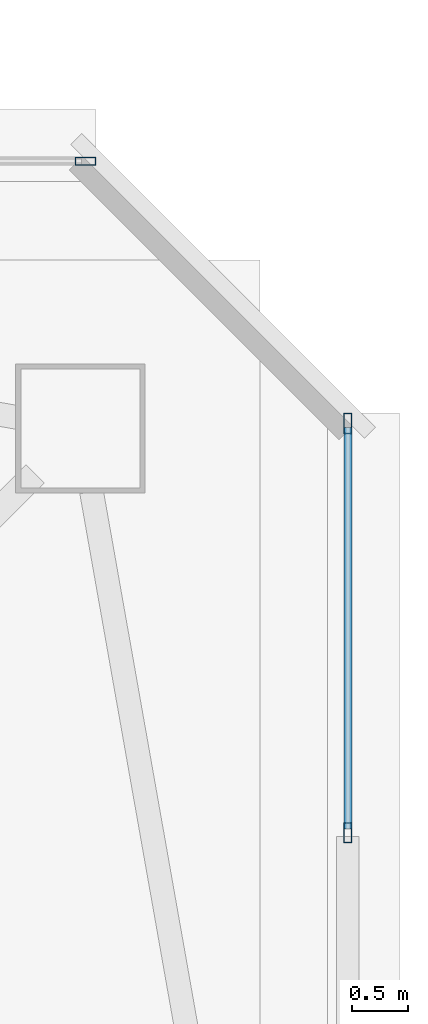
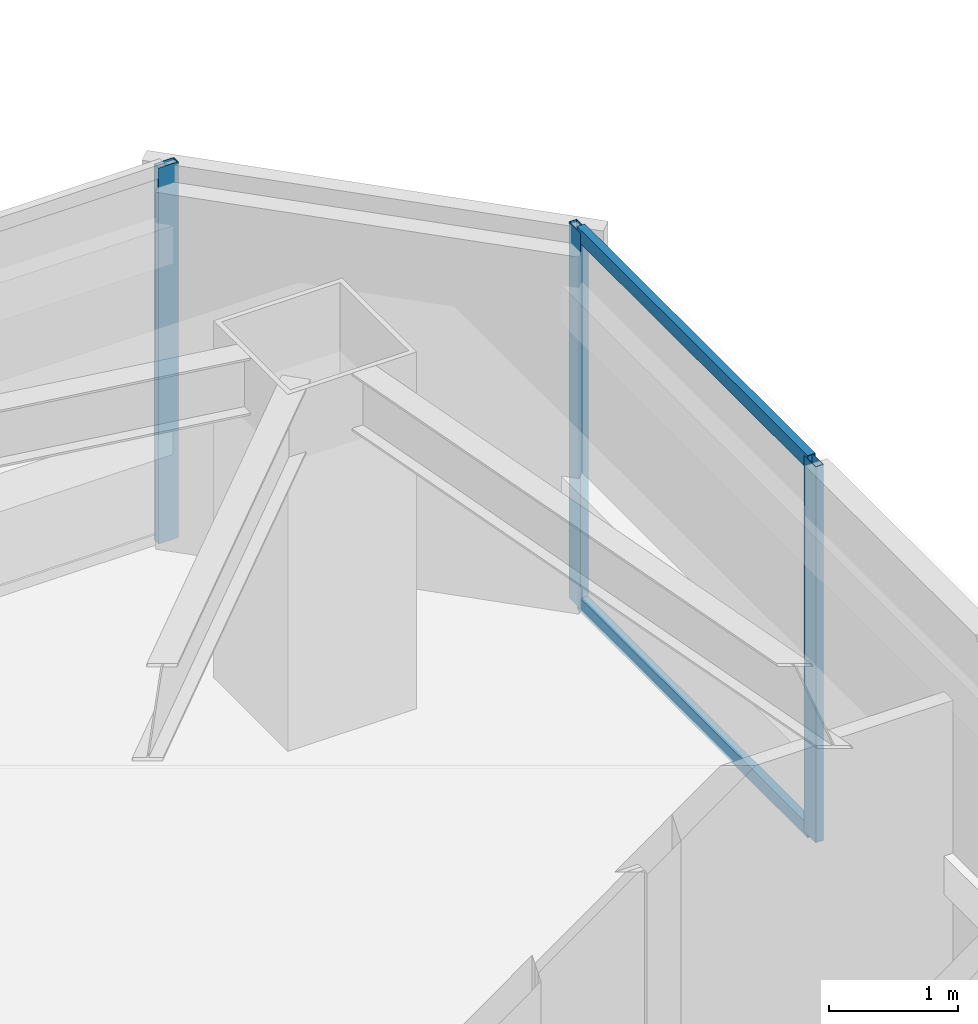
# One storey, part 14 of 41: 5 members, 2 elements without a shape of their own.
"""IFC4 building model written with IfcOpenShell, lengths in metres."""

from ifc_helpers import new_model, si_unit, direction, frame, origin, origin_2d, place, context, subcontext, project, spatial, hollow_rectangle, extrude, material, material_profile, profile_set, type_object, element, aggregate, save


model = new_model("IFC4")

# Units and contexts
model_context = context("Model", 3, precision=1e-05, world=origin(), true_north=direction((0.0, 1.0)))
body_context = subcontext(model_context, "Body", "Model", "MODEL_VIEW")
ifc_project = project(units=[si_unit("LENGTHUNIT", "METRE"), si_unit("AREAUNIT", "SQUARE_METRE"), si_unit("VOLUMEUNIT", "CUBIC_METRE"), si_unit("PLANEANGLEUNIT", "RADIAN"), si_unit("MASSUNIT", "GRAM", prefix="KILO")], contexts=[model_context])

# Site, building, storey
site_placement = place(None, origin())
site = spatial("IfcSite", under=ifc_project, at=site_placement, CompositionType="ELEMENT")
building_placement = place(site_placement, origin())
building = spatial("IfcBuilding", under=site, at=building_placement, Name="Tashvorn Skyway Center", CompositionType="ELEMENT")
storey_placement = place(building_placement, frame((0.0, 0.0, 174.75)))
storey = spatial("IfcBuildingStorey", under=building, at=storey_placement, Name="L47", CompositionType="ELEMENT", Elevation=174.75)

# Curtain wall, member
ifc_material = material(Name="Thermally broken bronze-anodized aluminium 6063-T6", Category="aluminium")
curtain_wall_type = type_object("IfcCurtainWallType", Name="CW-CW-Z4", PredefinedType="NOTDEFINED", material=ifc_material)
curtain_wall_1_placement = place(storey_placement, origin())
curtain_wall_1 = element("IfcCurtainWall", 1, at=curtain_wall_1_placement, inside=storey, type_object=curtain_wall_type, Name="Tower 1 L47 North Unitised Curtain Wall Glazing Group 3", PredefinedType="NOTDEFINED")
ifc_material_profile_1 = material_profile(ifc_material, hollow_rectangle(XDim=0.070068359375, YDim=0.179931640625, WallThickness=0.00390625, at=origin_2d()), Name="ALU-MULL-70x180")
ifc_profile_set_1 = profile_set([ifc_material_profile_1], Name="Thermally broken bronze-anodized aluminium 6063-T6")
member_type_1 = type_object("IfcMemberType", Name="CWM-CW-Z4", PredefinedType="MULLION", material=ifc_profile_set_1)
member_1_placement = place(storey_placement, frame((57.344970703125, 49.679931640625, 0.0), z_axis=(0.0, 0.0, 1.0), x_axis=(0.0, 1.0, 0.0)))
member_1 = element("IfcMember", 2, at=member_1_placement, type_object=member_type_1, Name="CW-Z4 mullion 2", PredefinedType="MULLION", context=body_context, shape_type="SweptSolid", body=[
    extrude(hollow_rectangle(XDim=0.070068359375, YDim=0.179931640625, WallThickness=0.00390625, at=origin_2d()), origin(), (0.0, 0.0, 1.0), 3.550048828125),
])
aggregate(curtain_wall_1, [member_1])

# Curtain wall, members
curtain_wall_2_placement = place(storey_placement, origin())
curtain_wall_2 = element("IfcCurtainWall", 3, at=curtain_wall_2_placement, inside=storey, type_object=curtain_wall_type, Name="Tower 1 L47 East Curtain Wall L Glazing Group 1", PredefinedType="NOTDEFINED")
member_2_placement = place(storey_placement, frame((59.679931640625, 47.344970703125, 0.0), z_axis=(0.0, 0.0, 1.0), x_axis=(1.0, 0.0, 0.0)))
member_2 = element("IfcMember", 4, at=member_2_placement, type_object=member_type_1, Name="CW-Z4 mullion 1", PredefinedType="MULLION", context=body_context, shape_type="SweptSolid", body=[
    extrude(hollow_rectangle(XDim=0.070068359375, YDim=0.179931640625, WallThickness=0.00390625, at=origin_2d()), origin(), (0.0, 0.0, 1.0), 3.550048828125),
])
member_3_placement = place(storey_placement, frame((59.679931640625, 43.705078125, 0.0), z_axis=(0.0, 0.0, 1.0), x_axis=(1.0, 0.0, 0.0)))
member_3 = element("IfcMember", 5, at=member_3_placement, type_object=member_type_1, Name="CW-Z4 mullion 2", PredefinedType="MULLION", context=body_context, shape_type="SweptSolid", body=[
    extrude(hollow_rectangle(XDim=0.070068359375, YDim=0.179931640625, WallThickness=0.00390625, at=origin_2d()), origin(), (0.0, 0.0, 1.0), 3.550048828125),
])
ifc_material_profile_2 = material_profile(ifc_material, hollow_rectangle(XDim=0.070068359375, YDim=0.1298828125, WallThickness=0.00390625, at=origin_2d()), Name="ALU-TRAN-70x130")
ifc_profile_set_2 = profile_set([ifc_material_profile_2], Name="Thermally broken bronze-anodized aluminium 6063-T6")
member_type_2 = type_object("IfcMemberType", Name="CWT-CW-Z4", PredefinedType="USERDEFINED", material=ifc_profile_set_2)
member_4_placement = place(storey_placement, frame((59.679931640625, 47.31005859375, 0.034912109375), z_axis=(0.0, -1.0, 0.0), x_axis=(1.0, 0.0, 0.0)))
member_4 = element("IfcMember", 6, at=member_4_placement, type_object=member_type_2, Name="CW-Z4 transom 1.1", ObjectType="TRANSOM", PredefinedType="USERDEFINED", context=body_context, shape_type="SweptSolid", body=[
    extrude(hollow_rectangle(XDim=0.070068359375, YDim=0.1298828125, WallThickness=0.00390625, at=origin_2d()), origin(), (0.0, 0.0, 1.0), 3.570068359375),
])
member_5_placement = place(storey_placement, frame((59.679931640625, 47.31005859375, 3.514892578125), z_axis=(0.0, -1.0, 0.0), x_axis=(1.0, 0.0, 0.0)))
member_5 = element("IfcMember", 7, at=member_5_placement, type_object=member_type_2, Name="CW-Z4 transom 1.2", ObjectType="TRANSOM", PredefinedType="USERDEFINED", context=body_context, shape_type="SweptSolid", body=[
    extrude(hollow_rectangle(XDim=0.070068359375, YDim=0.1298828125, WallThickness=0.00390625, at=origin_2d()), origin(), (0.0, 0.0, 1.0), 3.570068359375),
])
aggregate(curtain_wall_2, [member_2, member_3, member_4, member_5])

save(model, "model.ifc")
